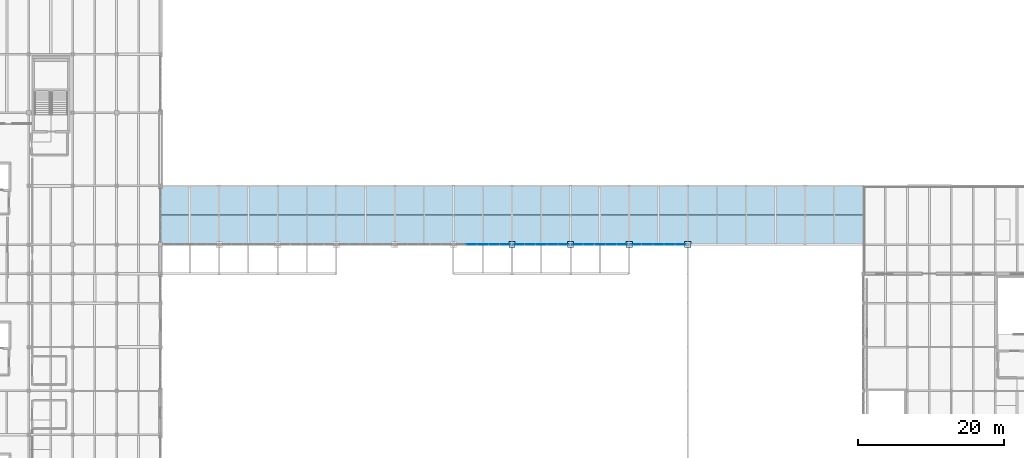
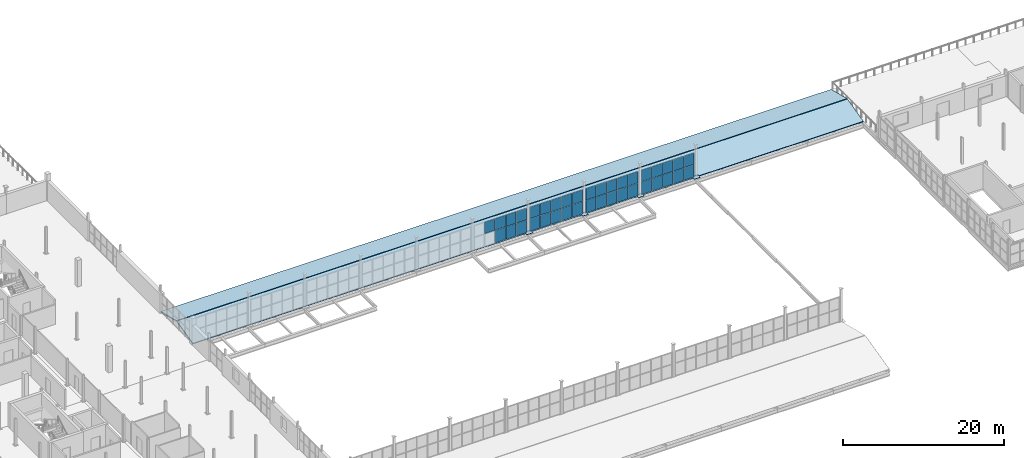
# One storey, part 77 of 96: 41 plates, 2 slabs, 4 elements without a shape of their own.
"""IFC4 building model written with IfcOpenShell, lengths in metres."""

from ifc_helpers import new_model, si_unit, direction, frame, origin, origin_2d, place, context, subcontext, project, spatial, polyline, rectangle, outline, extrude, material, layer, layer_set, type_object, element, aggregate, save


model = new_model("IFC4")

# Units and contexts
model_context = context("Model", 3, precision=1e-05, world=origin(), true_north=direction((0.0, 1.0)))
body_context = subcontext(model_context, "Body", "Model", "MODEL_VIEW")
ifc_project = project(units=[si_unit("LENGTHUNIT", "METRE"), si_unit("AREAUNIT", "SQUARE_METRE"), si_unit("VOLUMEUNIT", "CUBIC_METRE"), si_unit("PLANEANGLEUNIT", "RADIAN"), si_unit("MASSUNIT", "GRAM", prefix="KILO")], contexts=[model_context])

# Site, building, storey
site_placement = place(None, origin())
site = spatial("IfcSite", under=ifc_project, at=site_placement, CompositionType="ELEMENT")
building_placement = place(site_placement, origin())
building = spatial("IfcBuilding", under=site, at=building_placement, Name="Verrall Gate Interchange", CompositionType="ELEMENT")
storey_placement = place(building_placement, frame((0.0, 0.0, 11.39990234375)))
storey = spatial("IfcBuildingStorey", under=building, at=storey_placement, Name="L03", CompositionType="ELEMENT", Elevation=11.39990234375)

# Plates
ifc_material_1 = material(Name="Structural Steel CSA G40.21 350WT Cat 4", Category="steel")
ifc_layer_1 = layer(ifc_material_1, 0.050048828125)
ifc_layer_set_1 = layer_set([ifc_layer_1], Name="Structural Steel CSA G40.21 350WT Cat 4")
plate_type_1 = type_object("IfcPlateType", Name="BP-02 Base Plate 50", PredefinedType="USERDEFINED", material=ifc_layer_set_1)
for number, where, z_axis, x_axis, name in (
    (1, (84.0, 48.0, 0.0), (0.0, 0.0, 1.0), (1.0, 0.0, 0.0), "Concourse Column Base Plate 1522"),
    (2, (92.0, 48.0, 0.0), (0.0, 0.0, 1.0), (1.0, 0.0, 0.0), "Concourse Column Base Plate 1524"),
    (3, (100.0, 48.0, 0.0), (0.0, 0.0, 1.0), (1.0, 0.0, 0.0), "Concourse Column Base Plate 1526"),
    (4, (108.0, 48.0, 0.0), (0.0, 0.0, 1.0), (1.0, 0.0, 0.0), "Concourse Column Base Plate 1528"),
):
    element("IfcPlate", number, at=place(storey_placement, frame(where, z_axis=z_axis, x_axis=x_axis)), inside=storey, type_object=plate_type_1, Name=name, ObjectType="BASE_PLATE", PredefinedType="USERDEFINED", context=body_context, shape_type="SweptSolid", body=[
        extrude(rectangle(XDim=0.85009765625, YDim=0.85009765625, at=origin_2d()), origin(), (0.0, 0.0, 1.0), 0.050048828125),
    ])

# Curtain wall, plates
ifc_material_2 = material(Name="Thermally Broken Anodized Aluminium Curtain Wall Framing", Category="aluminium")
curtain_wall_type = type_object("IfcCurtainWallType", Name="CW-53 Unitized Curtain Wall 7631x3800", PredefinedType="NOTDEFINED", material=ifc_material_2)
curtain_wall_1_placement = place(storey_placement, origin())
curtain_wall_1 = element("IfcCurtainWall", 5, at=curtain_wall_1_placement, inside=storey, type_object=curtain_wall_type, Name="L03 Unitized Curtain Wall CW-L03-CLR-178", PredefinedType="NOTDEFINED")
ifc_material_3 = material(Name="Triple-Glazed Low-E Argon Insulated Curtain Panel (U=1.45)", Category="glass")
ifc_layer_2 = layer(ifc_material_3, 0.030029296875)
ifc_layer_set_2 = layer_set([ifc_layer_2], Name="Triple-Glazed Low-E Argon Insulated Curtain Panel (U=1.45)")
plate_type_2 = type_object("IfcPlateType", Name="CP-01 Curtain Glazing Panel 30", PredefinedType="CURTAIN_PANEL", material=ifc_layer_set_2)
plate_1_placement = place(storey_placement, frame((78.473876953125, 48.0, 2.00146484375), z_axis=(0.0, 0.0, 1.0), x_axis=(1.0, 0.0, 0.0)))
plate_1 = element("IfcPlate", 6, at=plate_1_placement, type_object=plate_type_2, Name="CW-L03-CLR-178 Glazing Panel 2.2", PredefinedType="CURTAIN_PANEL", context=body_context, shape_type="SweptSolid", body=[
    extrude(rectangle(XDim=1.47509765625, YDim=0.030029296875, at=origin_2d()), origin(), (0.0, 0.0, 1.0), 1.735595703125),
])
plate_2_placement = place(storey_placement, frame((80.0, 48.0, 0.06298828125), z_axis=(0.0, 0.0, 1.0), x_axis=(1.0, 0.0, 0.0)))
plate_2 = element("IfcPlate", 7, at=plate_2_placement, type_object=plate_type_2, Name="CW-L03-CLR-178 Glazing Panel 3.1", PredefinedType="CURTAIN_PANEL", context=body_context, shape_type="SweptSolid", body=[
    extrude(rectangle(XDim=1.47509765625, YDim=0.030029296875, at=origin_2d()), origin(), (0.0, 0.0, 1.0), 1.887451171875),
])
plate_3_placement = place(storey_placement, frame((80.0, 48.0, 2.00146484375), z_axis=(0.0, 0.0, 1.0), x_axis=(1.0, 0.0, 0.0)))
plate_3 = element("IfcPlate", 8, at=plate_3_placement, type_object=plate_type_2, Name="CW-L03-CLR-178 Glazing Panel 3.2", PredefinedType="CURTAIN_PANEL", context=body_context, shape_type="SweptSolid", body=[
    extrude(rectangle(XDim=1.47509765625, YDim=0.030029296875, at=origin_2d()), origin(), (0.0, 0.0, 1.0), 1.735595703125),
])
plate_4_placement = place(storey_placement, frame((81.526123046875, 48.0, 0.06298828125), z_axis=(0.0, 0.0, 1.0), x_axis=(1.0, 0.0, 0.0)))
plate_4 = element("IfcPlate", 9, at=plate_4_placement, type_object=plate_type_2, Name="CW-L03-CLR-178 Glazing Panel 4.1", PredefinedType="CURTAIN_PANEL", context=body_context, shape_type="SweptSolid", body=[
    extrude(rectangle(XDim=1.47509765625, YDim=0.030029296875, at=origin_2d()), origin(), (0.0, 0.0, 1.0), 1.887451171875),
])
plate_5_placement = place(storey_placement, frame((81.526123046875, 48.0, 2.00146484375), z_axis=(0.0, 0.0, 1.0), x_axis=(1.0, 0.0, 0.0)))
plate_5 = element("IfcPlate", 10, at=plate_5_placement, type_object=plate_type_2, Name="CW-L03-CLR-178 Glazing Panel 4.2", PredefinedType="CURTAIN_PANEL", context=body_context, shape_type="SweptSolid", body=[
    extrude(rectangle(XDim=1.47509765625, YDim=0.030029296875, at=origin_2d()), origin(), (0.0, 0.0, 1.0), 1.735595703125),
])
plate_6_placement = place(storey_placement, frame((83.03369140625, 48.0, 0.06298828125), z_axis=(0.0, 0.0, 1.0), x_axis=(1.0, 0.0, 0.0)))
plate_6 = element("IfcPlate", 11, at=plate_6_placement, type_object=plate_type_2, Name="CW-L03-CLR-178 Glazing Panel 5.1", PredefinedType="CURTAIN_PANEL", context=body_context, shape_type="SweptSolid", body=[
    extrude(rectangle(XDim=1.437744140625, YDim=0.030029296875, at=origin_2d()), origin(), (0.0, 0.0, 1.0), 1.887451171875),
])
plate_7_placement = place(storey_placement, frame((83.03369140625, 48.0, 2.00146484375), z_axis=(0.0, 0.0, 1.0), x_axis=(1.0, 0.0, 0.0)))
plate_7 = element("IfcPlate", 12, at=plate_7_placement, type_object=plate_type_2, Name="CW-L03-CLR-178 Glazing Panel 5.2", PredefinedType="CURTAIN_PANEL", context=body_context, shape_type="SweptSolid", body=[
    extrude(rectangle(XDim=1.437744140625, YDim=0.030029296875, at=origin_2d()), origin(), (0.0, 0.0, 1.0), 1.735595703125),
])
aggregate(curtain_wall_1, [plate_1, plate_2, plate_3, plate_4, plate_5, plate_6, plate_7])

curtain_wall_2_placement = place(storey_placement, origin())
curtain_wall_2 = element("IfcCurtainWall", 13, at=curtain_wall_2_placement, inside=storey, type_object=curtain_wall_type, Name="L03 Unitized Curtain Wall CW-L03-CLR-179", PredefinedType="NOTDEFINED")
plate_8_placement = place(storey_placement, frame((84.96630859375, 48.0, 0.06298828125), z_axis=(0.0, 0.0, 1.0), x_axis=(1.0, 0.0, 0.0)))
plate_8 = element("IfcPlate", 14, at=plate_8_placement, type_object=plate_type_2, Name="CW-L03-CLR-179 Glazing Panel 1.1", PredefinedType="CURTAIN_PANEL", context=body_context, shape_type="SweptSolid", body=[
    extrude(rectangle(XDim=1.437744140625, YDim=0.030029296875, at=origin_2d()), origin(), (0.0, 0.0, 1.0), 1.887451171875),
])
plate_9_placement = place(storey_placement, frame((84.96630859375, 48.0, 2.00146484375), z_axis=(0.0, 0.0, 1.0), x_axis=(1.0, 0.0, 0.0)))
plate_9 = element("IfcPlate", 15, at=plate_9_placement, type_object=plate_type_2, Name="CW-L03-CLR-179 Glazing Panel 1.2", PredefinedType="CURTAIN_PANEL", context=body_context, shape_type="SweptSolid", body=[
    extrude(rectangle(XDim=1.437744140625, YDim=0.030029296875, at=origin_2d()), origin(), (0.0, 0.0, 1.0), 1.735595703125),
])
plate_10_placement = place(storey_placement, frame((86.473876953125, 48.0, 0.06298828125), z_axis=(0.0, 0.0, 1.0), x_axis=(1.0, 0.0, 0.0)))
plate_10 = element("IfcPlate", 16, at=plate_10_placement, type_object=plate_type_2, Name="CW-L03-CLR-179 Glazing Panel 2.1", PredefinedType="CURTAIN_PANEL", context=body_context, shape_type="SweptSolid", body=[
    extrude(rectangle(XDim=1.47509765625, YDim=0.030029296875, at=origin_2d()), origin(), (0.0, 0.0, 1.0), 1.887451171875),
])
plate_11_placement = place(storey_placement, frame((86.473876953125, 48.0, 2.00146484375), z_axis=(0.0, 0.0, 1.0), x_axis=(1.0, 0.0, 0.0)))
plate_11 = element("IfcPlate", 17, at=plate_11_placement, type_object=plate_type_2, Name="CW-L03-CLR-179 Glazing Panel 2.2", PredefinedType="CURTAIN_PANEL", context=body_context, shape_type="SweptSolid", body=[
    extrude(rectangle(XDim=1.47509765625, YDim=0.030029296875, at=origin_2d()), origin(), (0.0, 0.0, 1.0), 1.735595703125),
])
plate_12_placement = place(storey_placement, frame((88.0, 48.0, 0.06298828125), z_axis=(0.0, 0.0, 1.0), x_axis=(1.0, 0.0, 0.0)))
plate_12 = element("IfcPlate", 18, at=plate_12_placement, type_object=plate_type_2, Name="CW-L03-CLR-179 Glazing Panel 3.1", PredefinedType="CURTAIN_PANEL", context=body_context, shape_type="SweptSolid", body=[
    extrude(rectangle(XDim=1.47509765625, YDim=0.030029296875, at=origin_2d()), origin(), (0.0, 0.0, 1.0), 1.887451171875),
])
plate_13_placement = place(storey_placement, frame((88.0, 48.0, 2.00146484375), z_axis=(0.0, 0.0, 1.0), x_axis=(1.0, 0.0, 0.0)))
plate_13 = element("IfcPlate", 19, at=plate_13_placement, type_object=plate_type_2, Name="CW-L03-CLR-179 Glazing Panel 3.2", PredefinedType="CURTAIN_PANEL", context=body_context, shape_type="SweptSolid", body=[
    extrude(rectangle(XDim=1.47509765625, YDim=0.030029296875, at=origin_2d()), origin(), (0.0, 0.0, 1.0), 1.735595703125),
])
plate_14_placement = place(storey_placement, frame((89.526123046875, 48.0, 0.06298828125), z_axis=(0.0, 0.0, 1.0), x_axis=(1.0, 0.0, 0.0)))
plate_14 = element("IfcPlate", 20, at=plate_14_placement, type_object=plate_type_2, Name="CW-L03-CLR-179 Glazing Panel 4.1", PredefinedType="CURTAIN_PANEL", context=body_context, shape_type="SweptSolid", body=[
    extrude(rectangle(XDim=1.47509765625, YDim=0.030029296875, at=origin_2d()), origin(), (0.0, 0.0, 1.0), 1.887451171875),
])
plate_15_placement = place(storey_placement, frame((89.526123046875, 48.0, 2.00146484375), z_axis=(0.0, 0.0, 1.0), x_axis=(1.0, 0.0, 0.0)))
plate_15 = element("IfcPlate", 21, at=plate_15_placement, type_object=plate_type_2, Name="CW-L03-CLR-179 Glazing Panel 4.2", PredefinedType="CURTAIN_PANEL", context=body_context, shape_type="SweptSolid", body=[
    extrude(rectangle(XDim=1.47509765625, YDim=0.030029296875, at=origin_2d()), origin(), (0.0, 0.0, 1.0), 1.735595703125),
])
plate_16_placement = place(storey_placement, frame((91.03369140625, 48.0, 0.06298828125), z_axis=(0.0, 0.0, 1.0), x_axis=(1.0, 0.0, 0.0)))
plate_16 = element("IfcPlate", 22, at=plate_16_placement, type_object=plate_type_2, Name="CW-L03-CLR-179 Glazing Panel 5.1", PredefinedType="CURTAIN_PANEL", context=body_context, shape_type="SweptSolid", body=[
    extrude(rectangle(XDim=1.437744140625, YDim=0.030029296875, at=origin_2d()), origin(), (0.0, 0.0, 1.0), 1.887451171875),
])
plate_17_placement = place(storey_placement, frame((91.03369140625, 48.0, 2.00146484375), z_axis=(0.0, 0.0, 1.0), x_axis=(1.0, 0.0, 0.0)))
plate_17 = element("IfcPlate", 23, at=plate_17_placement, type_object=plate_type_2, Name="CW-L03-CLR-179 Glazing Panel 5.2", PredefinedType="CURTAIN_PANEL", context=body_context, shape_type="SweptSolid", body=[
    extrude(rectangle(XDim=1.437744140625, YDim=0.030029296875, at=origin_2d()), origin(), (0.0, 0.0, 1.0), 1.735595703125),
])
aggregate(curtain_wall_2, [plate_8, plate_9, plate_10, plate_11, plate_12, plate_13, plate_14, plate_15, plate_16, plate_17])

curtain_wall_3_placement = place(storey_placement, origin())
curtain_wall_3 = element("IfcCurtainWall", 24, at=curtain_wall_3_placement, inside=storey, type_object=curtain_wall_type, Name="L03 Unitized Curtain Wall CW-L03-CLR-180", PredefinedType="NOTDEFINED")
plate_18_placement = place(storey_placement, frame((92.96630859375, 48.0, 0.06298828125), z_axis=(0.0, 0.0, 1.0), x_axis=(1.0, 0.0, 0.0)))
plate_18 = element("IfcPlate", 25, at=plate_18_placement, type_object=plate_type_2, Name="CW-L03-CLR-180 Glazing Panel 1.1", PredefinedType="CURTAIN_PANEL", context=body_context, shape_type="SweptSolid", body=[
    extrude(rectangle(XDim=1.437744140625, YDim=0.030029296875, at=origin_2d()), origin(), (0.0, 0.0, 1.0), 1.887451171875),
])
plate_19_placement = place(storey_placement, frame((92.96630859375, 48.0, 2.00146484375), z_axis=(0.0, 0.0, 1.0), x_axis=(1.0, 0.0, 0.0)))
plate_19 = element("IfcPlate", 26, at=plate_19_placement, type_object=plate_type_2, Name="CW-L03-CLR-180 Glazing Panel 1.2", PredefinedType="CURTAIN_PANEL", context=body_context, shape_type="SweptSolid", body=[
    extrude(rectangle(XDim=1.437744140625, YDim=0.030029296875, at=origin_2d()), origin(), (0.0, 0.0, 1.0), 1.735595703125),
])
plate_20_placement = place(storey_placement, frame((94.473876953125, 48.0, 0.06298828125), z_axis=(0.0, 0.0, 1.0), x_axis=(1.0, 0.0, 0.0)))
plate_20 = element("IfcPlate", 27, at=plate_20_placement, type_object=plate_type_2, Name="CW-L03-CLR-180 Glazing Panel 2.1", PredefinedType="CURTAIN_PANEL", context=body_context, shape_type="SweptSolid", body=[
    extrude(rectangle(XDim=1.47509765625, YDim=0.030029296875, at=origin_2d()), origin(), (0.0, 0.0, 1.0), 1.887451171875),
])
plate_21_placement = place(storey_placement, frame((94.473876953125, 48.0, 2.00146484375), z_axis=(0.0, 0.0, 1.0), x_axis=(1.0, 0.0, 0.0)))
plate_21 = element("IfcPlate", 28, at=plate_21_placement, type_object=plate_type_2, Name="CW-L03-CLR-180 Glazing Panel 2.2", PredefinedType="CURTAIN_PANEL", context=body_context, shape_type="SweptSolid", body=[
    extrude(rectangle(XDim=1.47509765625, YDim=0.030029296875, at=origin_2d()), origin(), (0.0, 0.0, 1.0), 1.735595703125),
])
plate_22_placement = place(storey_placement, frame((96.0, 48.0, 0.06298828125), z_axis=(0.0, 0.0, 1.0), x_axis=(1.0, 0.0, 0.0)))
plate_22 = element("IfcPlate", 29, at=plate_22_placement, type_object=plate_type_2, Name="CW-L03-CLR-180 Glazing Panel 3.1", PredefinedType="CURTAIN_PANEL", context=body_context, shape_type="SweptSolid", body=[
    extrude(rectangle(XDim=1.47509765625, YDim=0.030029296875, at=origin_2d()), origin(), (0.0, 0.0, 1.0), 1.887451171875),
])
plate_23_placement = place(storey_placement, frame((96.0, 48.0, 2.00146484375), z_axis=(0.0, 0.0, 1.0), x_axis=(1.0, 0.0, 0.0)))
plate_23 = element("IfcPlate", 30, at=plate_23_placement, type_object=plate_type_2, Name="CW-L03-CLR-180 Glazing Panel 3.2", PredefinedType="CURTAIN_PANEL", context=body_context, shape_type="SweptSolid", body=[
    extrude(rectangle(XDim=1.47509765625, YDim=0.030029296875, at=origin_2d()), origin(), (0.0, 0.0, 1.0), 1.735595703125),
])
plate_24_placement = place(storey_placement, frame((97.526123046875, 48.0, 0.06298828125), z_axis=(0.0, 0.0, 1.0), x_axis=(1.0, 0.0, 0.0)))
plate_24 = element("IfcPlate", 31, at=plate_24_placement, type_object=plate_type_2, Name="CW-L03-CLR-180 Glazing Panel 4.1", PredefinedType="CURTAIN_PANEL", context=body_context, shape_type="SweptSolid", body=[
    extrude(rectangle(XDim=1.47509765625, YDim=0.030029296875, at=origin_2d()), origin(), (0.0, 0.0, 1.0), 1.887451171875),
])
plate_25_placement = place(storey_placement, frame((97.526123046875, 48.0, 2.00146484375), z_axis=(0.0, 0.0, 1.0), x_axis=(1.0, 0.0, 0.0)))
plate_25 = element("IfcPlate", 32, at=plate_25_placement, type_object=plate_type_2, Name="CW-L03-CLR-180 Glazing Panel 4.2", PredefinedType="CURTAIN_PANEL", context=body_context, shape_type="SweptSolid", body=[
    extrude(rectangle(XDim=1.47509765625, YDim=0.030029296875, at=origin_2d()), origin(), (0.0, 0.0, 1.0), 1.735595703125),
])
plate_26_placement = place(storey_placement, frame((99.03369140625, 48.0, 0.06298828125), z_axis=(0.0, 0.0, 1.0), x_axis=(1.0, 0.0, 0.0)))
plate_26 = element("IfcPlate", 33, at=plate_26_placement, type_object=plate_type_2, Name="CW-L03-CLR-180 Glazing Panel 5.1", PredefinedType="CURTAIN_PANEL", context=body_context, shape_type="SweptSolid", body=[
    extrude(rectangle(XDim=1.437744140625, YDim=0.030029296875, at=origin_2d()), origin(), (0.0, 0.0, 1.0), 1.887451171875),
])
plate_27_placement = place(storey_placement, frame((99.03369140625, 48.0, 2.00146484375), z_axis=(0.0, 0.0, 1.0), x_axis=(1.0, 0.0, 0.0)))
plate_27 = element("IfcPlate", 34, at=plate_27_placement, type_object=plate_type_2, Name="CW-L03-CLR-180 Glazing Panel 5.2", PredefinedType="CURTAIN_PANEL", context=body_context, shape_type="SweptSolid", body=[
    extrude(rectangle(XDim=1.437744140625, YDim=0.030029296875, at=origin_2d()), origin(), (0.0, 0.0, 1.0), 1.735595703125),
])
aggregate(curtain_wall_3, [plate_18, plate_19, plate_20, plate_21, plate_22, plate_23, plate_24, plate_25, plate_26, plate_27])

curtain_wall_4_placement = place(storey_placement, origin())
curtain_wall_4 = element("IfcCurtainWall", 35, at=curtain_wall_4_placement, inside=storey, type_object=curtain_wall_type, Name="L03 Unitized Curtain Wall CW-L03-CLR-181", PredefinedType="NOTDEFINED")
plate_28_placement = place(storey_placement, frame((100.96630859375, 48.0, 0.06298828125), z_axis=(0.0, 0.0, 1.0), x_axis=(1.0, 0.0, 0.0)))
plate_28 = element("IfcPlate", 36, at=plate_28_placement, type_object=plate_type_2, Name="CW-L03-CLR-181 Glazing Panel 1.1", PredefinedType="CURTAIN_PANEL", context=body_context, shape_type="SweptSolid", body=[
    extrude(rectangle(XDim=1.437744140625, YDim=0.030029296875, at=origin_2d()), origin(), (0.0, 0.0, 1.0), 1.887451171875),
])
plate_29_placement = place(storey_placement, frame((100.96630859375, 48.0, 2.00146484375), z_axis=(0.0, 0.0, 1.0), x_axis=(1.0, 0.0, 0.0)))
plate_29 = element("IfcPlate", 37, at=plate_29_placement, type_object=plate_type_2, Name="CW-L03-CLR-181 Glazing Panel 1.2", PredefinedType="CURTAIN_PANEL", context=body_context, shape_type="SweptSolid", body=[
    extrude(rectangle(XDim=1.437744140625, YDim=0.030029296875, at=origin_2d()), origin(), (0.0, 0.0, 1.0), 1.735595703125),
])
plate_30_placement = place(storey_placement, frame((102.473876953125, 48.0, 0.06298828125), z_axis=(0.0, 0.0, 1.0), x_axis=(1.0, 0.0, 0.0)))
plate_30 = element("IfcPlate", 38, at=plate_30_placement, type_object=plate_type_2, Name="CW-L03-CLR-181 Glazing Panel 2.1", PredefinedType="CURTAIN_PANEL", context=body_context, shape_type="SweptSolid", body=[
    extrude(rectangle(XDim=1.47509765625, YDim=0.030029296875, at=origin_2d()), origin(), (0.0, 0.0, 1.0), 1.887451171875),
])
plate_31_placement = place(storey_placement, frame((102.473876953125, 48.0, 2.00146484375), z_axis=(0.0, 0.0, 1.0), x_axis=(1.0, 0.0, 0.0)))
plate_31 = element("IfcPlate", 39, at=plate_31_placement, type_object=plate_type_2, Name="CW-L03-CLR-181 Glazing Panel 2.2", PredefinedType="CURTAIN_PANEL", context=body_context, shape_type="SweptSolid", body=[
    extrude(rectangle(XDim=1.47509765625, YDim=0.030029296875, at=origin_2d()), origin(), (0.0, 0.0, 1.0), 1.735595703125),
])
plate_32_placement = place(storey_placement, frame((104.0, 48.0, 0.06298828125), z_axis=(0.0, 0.0, 1.0), x_axis=(1.0, 0.0, 0.0)))
plate_32 = element("IfcPlate", 40, at=plate_32_placement, type_object=plate_type_2, Name="CW-L03-CLR-181 Glazing Panel 3.1", PredefinedType="CURTAIN_PANEL", context=body_context, shape_type="SweptSolid", body=[
    extrude(rectangle(XDim=1.47509765625, YDim=0.030029296875, at=origin_2d()), origin(), (0.0, 0.0, 1.0), 1.887451171875),
])
plate_33_placement = place(storey_placement, frame((104.0, 48.0, 2.00146484375), z_axis=(0.0, 0.0, 1.0), x_axis=(1.0, 0.0, 0.0)))
plate_33 = element("IfcPlate", 41, at=plate_33_placement, type_object=plate_type_2, Name="CW-L03-CLR-181 Glazing Panel 3.2", PredefinedType="CURTAIN_PANEL", context=body_context, shape_type="SweptSolid", body=[
    extrude(rectangle(XDim=1.47509765625, YDim=0.030029296875, at=origin_2d()), origin(), (0.0, 0.0, 1.0), 1.735595703125),
])
plate_34_placement = place(storey_placement, frame((105.526123046875, 48.0, 0.06298828125), z_axis=(0.0, 0.0, 1.0), x_axis=(1.0, 0.0, 0.0)))
plate_34 = element("IfcPlate", 42, at=plate_34_placement, type_object=plate_type_2, Name="CW-L03-CLR-181 Glazing Panel 4.1", PredefinedType="CURTAIN_PANEL", context=body_context, shape_type="SweptSolid", body=[
    extrude(rectangle(XDim=1.47509765625, YDim=0.030029296875, at=origin_2d()), origin(), (0.0, 0.0, 1.0), 1.887451171875),
])
plate_35_placement = place(storey_placement, frame((105.526123046875, 48.0, 2.00146484375), z_axis=(0.0, 0.0, 1.0), x_axis=(1.0, 0.0, 0.0)))
plate_35 = element("IfcPlate", 43, at=plate_35_placement, type_object=plate_type_2, Name="CW-L03-CLR-181 Glazing Panel 4.2", PredefinedType="CURTAIN_PANEL", context=body_context, shape_type="SweptSolid", body=[
    extrude(rectangle(XDim=1.47509765625, YDim=0.030029296875, at=origin_2d()), origin(), (0.0, 0.0, 1.0), 1.735595703125),
])
plate_36_placement = place(storey_placement, frame((107.03369140625, 48.0, 0.06298828125), z_axis=(0.0, 0.0, 1.0), x_axis=(1.0, 0.0, 0.0)))
plate_36 = element("IfcPlate", 44, at=plate_36_placement, type_object=plate_type_2, Name="CW-L03-CLR-181 Glazing Panel 5.1", PredefinedType="CURTAIN_PANEL", context=body_context, shape_type="SweptSolid", body=[
    extrude(rectangle(XDim=1.437744140625, YDim=0.030029296875, at=origin_2d()), origin(), (0.0, 0.0, 1.0), 1.887451171875),
])
plate_37_placement = place(storey_placement, frame((107.03369140625, 48.0, 2.00146484375), z_axis=(0.0, 0.0, 1.0), x_axis=(1.0, 0.0, 0.0)))
plate_37 = element("IfcPlate", 45, at=plate_37_placement, type_object=plate_type_2, Name="CW-L03-CLR-181 Glazing Panel 5.2", PredefinedType="CURTAIN_PANEL", context=body_context, shape_type="SweptSolid", body=[
    extrude(rectangle(XDim=1.437744140625, YDim=0.030029296875, at=origin_2d()), origin(), (0.0, 0.0, 1.0), 1.735595703125),
])
aggregate(curtain_wall_4, [plate_28, plate_29, plate_30, plate_31, plate_32, plate_33, plate_34, plate_35, plate_36, plate_37])

# Slabs
ifc_material_4 = material(Name="Concrete CSA A23.1 40 MPa (Class C-1)", Category="concrete")
ifc_layer_3 = layer(ifc_material_4, 0.159912109375)
ifc_layer_set_3 = layer_set([ifc_layer_3], Name="Concrete CSA A23.1 40 MPa (Class C-1)")
slab_type = type_object("IfcSlabType", Name="RS-03 Roof Slab 160", PredefinedType="ROOF", material=ifc_layer_set_3)
for number, where, z_axis, x_axis, name in (
    (46, (36.0, 48.0, 0.0), (0.0, -0.242535625036, 0.970142500145), (1.0, 0.0, 0.0), "Pitched Standing-Seam Roof Slab RF-V4-S"),
    (47, (36.0, 52.0400390625, 0.989990234375), (0.0, 0.242535625036, 0.970142500145), (1.0, 0.0, 0.0), "Pitched Standing-Seam Roof Slab RF-V4-N"),
):
    element("IfcSlab", number, at=place(storey_placement, frame(where, z_axis=z_axis, x_axis=x_axis)), inside=storey, type_object=slab_type, Name=name, PredefinedType="ROOF", context=body_context, shape_type="SweptSolid", body=[
        extrude(outline(polyline([(0.0, 0.0), (96.0, 0.0), (96.0, 4.081834304658109), (0.0, 4.081834304658109), (0.0, 0.0)])), origin(), (0.0, 0.0, -1.0), 0.159912109375),
    ])

save(model, "model.ifc")
